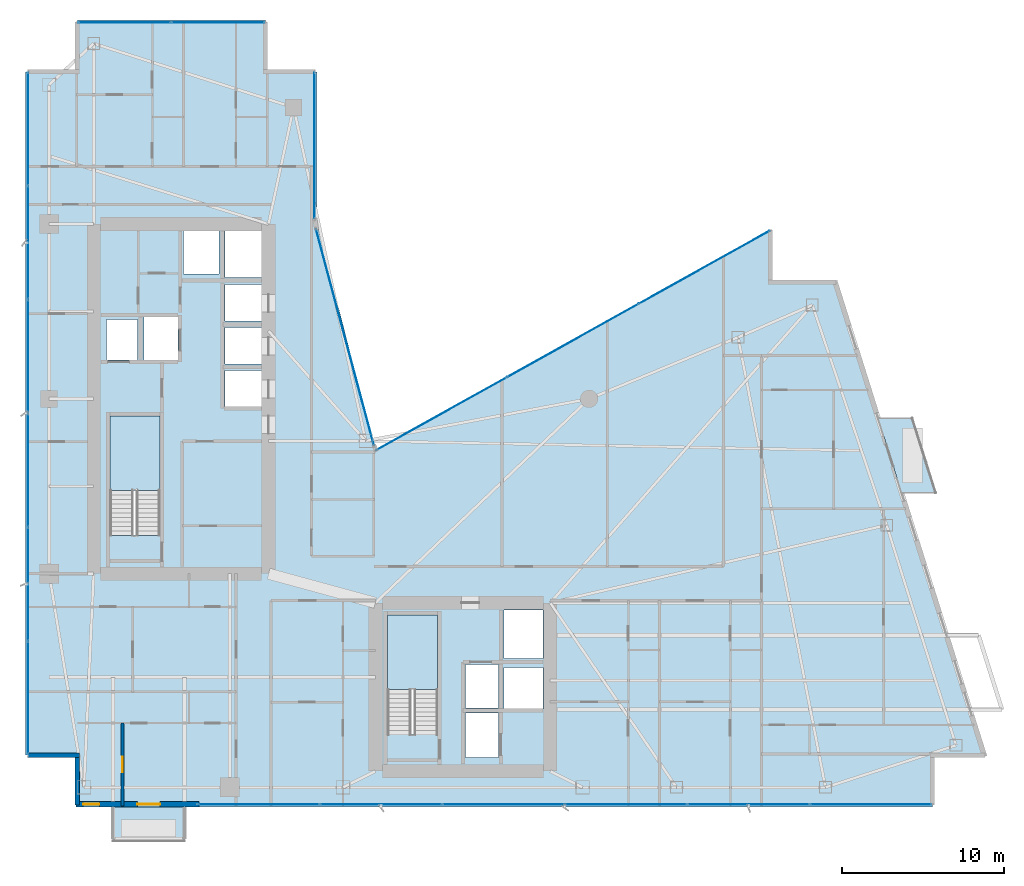
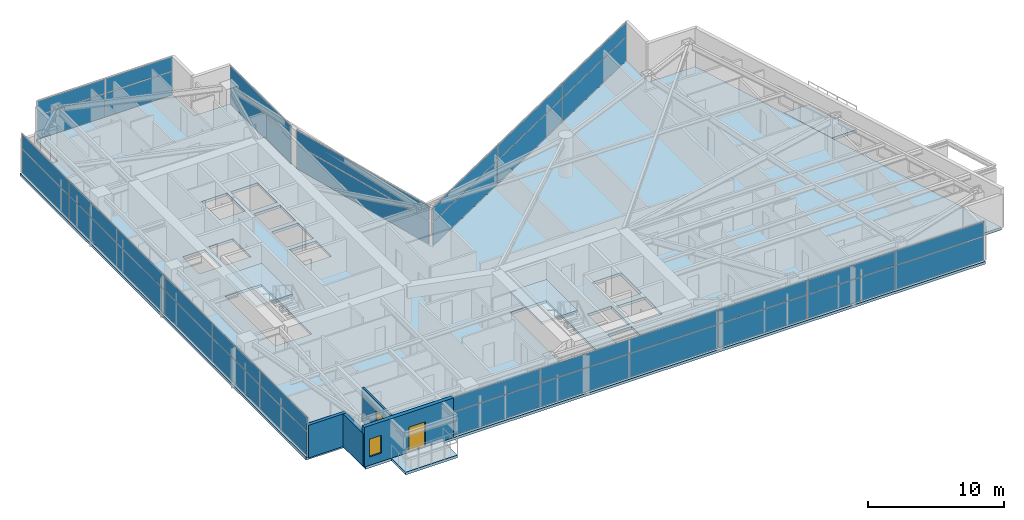
# One storey, part 21 of 29: 38 plates, 5 slabs, 4 walls, 2 doors, 1 window, 3 openings, 8 elements without a shape of their own.
"""IFC4 building model written with IfcOpenShell, lengths in metres."""

from ifc_helpers import new_model, si_unit, direction, frame, frame_2d, origin, origin_2d, place, context, subcontext, project, spatial, polyline, rectangle, outline, extrude, material, layer, layer_set, type_object, element, fill, aggregate, save


model = new_model("IFC4")

# Units and contexts
model_context = context("Model", 3, precision=1e-05, world=origin(), true_north=direction((0.0, 1.0)))
body_context = subcontext(model_context, "Body", "Model", "MODEL_VIEW")
ifc_project = project(units=[si_unit("LENGTHUNIT", "METRE"), si_unit("AREAUNIT", "SQUARE_METRE"), si_unit("VOLUMEUNIT", "CUBIC_METRE"), si_unit("PLANEANGLEUNIT", "RADIAN"), si_unit("MASSUNIT", "GRAM", prefix="KILO")], contexts=[model_context])

# Site, building, storey
site_placement = place(None, origin())
site = spatial("IfcSite", under=ifc_project, at=site_placement, CompositionType="ELEMENT")
building_placement = place(site_placement, origin())
building = spatial("IfcBuilding", under=site, at=building_placement, Name="Calvorn Quay Hotel", CompositionType="ELEMENT")
storey_placement = place(building_placement, frame((0.0, 0.0, 163.699951171875)))
storey = spatial("IfcBuildingStorey", under=building, at=storey_placement, Name="L40", CompositionType="ELEMENT", Elevation=163.699951171875)

# Curtain wall, plates
ifc_material_1 = material(Name="Pale Anodised Aluminium and Low-E Glass", Category="aluminium")
ifc_layer_1 = layer(ifc_material_1, 0.219970703125)
ifc_layer_set_1 = layer_set([ifc_layer_1], Name="CW-SYS-Z2")
curtain_wall_type = type_object("IfcCurtainWallType", Name="CW-SYS-Z2", PredefinedType="NOTDEFINED", material=ifc_layer_set_1)
curtain_wall_1_placement = place(storey_placement, origin())
curtain_wall_1 = element("IfcCurtainWall", 1, at=curtain_wall_1_placement, inside=storey, type_object=curtain_wall_type, Name="Tower West Curtain Wall (L40)", PredefinedType="NOTDEFINED")
ifc_material_2 = material(Name="Low-E Laminated Double Glazing", Category="glass")
ifc_layer_2 = layer(ifc_material_2, 0.028076171875)
ifc_layer_set_2 = layer_set([ifc_layer_2], Name="CW-SYS-Z2-PAN")
plate_type = type_object("IfcPlateType", Name="CW-SYS-Z2-PAN", PredefinedType="CURTAIN_PANEL", material=ifc_layer_set_2)
plate_1_placement = place(storey_placement, frame((0.14990234375, 9.131591796875, 0.06005859375), z_axis=(0.0, 0.0, 1.0), x_axis=(0.0, 1.0, 0.0)))
plate_1 = element("IfcPlate", 2, at=plate_1_placement, type_object=plate_type, Name="CW-L40-W panel 1.1", PredefinedType="CURTAIN_PANEL", context=body_context, shape_type="SweptSolid", body=[
    extrude(rectangle(XDim=6.943359375, YDim=0.028076171875, at=origin_2d()), origin(), (0.0, 0.0, 1.0), 2.110107421875),
])
plate_2_placement = place(storey_placement, frame((0.14990234375, 9.131591796875, 2.22998046875), z_axis=(0.0, 0.0, 1.0), x_axis=(0.0, 1.0, 0.0)))
plate_2 = element("IfcPlate", 3, at=plate_2_placement, type_object=plate_type, Name="CW-L40-W panel 1.2", PredefinedType="CURTAIN_PANEL", context=body_context, shape_type="SweptSolid", body=[
    extrude(rectangle(XDim=6.943359375, YDim=0.028076171875, at=origin_2d()), origin(), (0.0, 0.0, 1.0), 1.27001953125),
])
plate_3_placement = place(storey_placement, frame((0.14990234375, 16.14990234375, 0.06005859375), z_axis=(0.0, 0.0, 1.0), x_axis=(0.0, 1.0, 0.0)))
plate_3 = element("IfcPlate", 4, at=plate_3_placement, type_object=plate_type, Name="CW-L40-W panel 2.1", PredefinedType="CURTAIN_PANEL", context=body_context, shape_type="SweptSolid", body=[
    extrude(rectangle(XDim=6.973388671875, YDim=0.028076171875, at=origin_2d()), origin(), (0.0, 0.0, 1.0), 2.110107421875),
])
plate_4_placement = place(storey_placement, frame((0.14990234375, 16.14990234375, 2.22998046875), z_axis=(0.0, 0.0, 1.0), x_axis=(0.0, 1.0, 0.0)))
plate_4 = element("IfcPlate", 5, at=plate_4_placement, type_object=plate_type, Name="CW-L40-W panel 2.2", PredefinedType="CURTAIN_PANEL", context=body_context, shape_type="SweptSolid", body=[
    extrude(rectangle(XDim=6.973388671875, YDim=0.028076171875, at=origin_2d()), origin(), (0.0, 0.0, 1.0), 1.27001953125),
])
plate_5_placement = place(storey_placement, frame((0.14990234375, 23.183349609375, 0.06005859375), z_axis=(0.0, 0.0, 1.0), x_axis=(0.0, 1.0, 0.0)))
plate_5 = element("IfcPlate", 6, at=plate_5_placement, type_object=plate_type, Name="CW-L40-W panel 3.1", PredefinedType="CURTAIN_PANEL", context=body_context, shape_type="SweptSolid", body=[
    extrude(rectangle(XDim=6.973388671875, YDim=0.028076171875, at=origin_2d()), origin(), (0.0, 0.0, 1.0), 2.110107421875),
])
plate_6_placement = place(storey_placement, frame((0.14990234375, 23.183349609375, 2.22998046875), z_axis=(0.0, 0.0, 1.0), x_axis=(0.0, 1.0, 0.0)))
plate_6 = element("IfcPlate", 7, at=plate_6_placement, type_object=plate_type, Name="CW-L40-W panel 3.2", PredefinedType="CURTAIN_PANEL", context=body_context, shape_type="SweptSolid", body=[
    extrude(rectangle(XDim=6.973388671875, YDim=0.028076171875, at=origin_2d()), origin(), (0.0, 0.0, 1.0), 1.27001953125),
])
plate_7_placement = place(storey_placement, frame((0.14990234375, 30.216552734375, 0.06005859375), z_axis=(0.0, 0.0, 1.0), x_axis=(0.0, 1.0, 0.0)))
plate_7 = element("IfcPlate", 8, at=plate_7_placement, type_object=plate_type, Name="CW-L40-W panel 4.1", PredefinedType="CURTAIN_PANEL", context=body_context, shape_type="SweptSolid", body=[
    extrude(rectangle(XDim=6.973388671875, YDim=0.028076171875, at=origin_2d()), origin(), (0.0, 0.0, 1.0), 2.110107421875),
])
plate_8_placement = place(storey_placement, frame((0.14990234375, 30.216552734375, 2.22998046875), z_axis=(0.0, 0.0, 1.0), x_axis=(0.0, 1.0, 0.0)))
plate_8 = element("IfcPlate", 9, at=plate_8_placement, type_object=plate_type, Name="CW-L40-W panel 4.2", PredefinedType="CURTAIN_PANEL", context=body_context, shape_type="SweptSolid", body=[
    extrude(rectangle(XDim=6.973388671875, YDim=0.028076171875, at=origin_2d()), origin(), (0.0, 0.0, 1.0), 1.27001953125),
])
plate_9_placement = place(storey_placement, frame((0.14990234375, 37.25, 0.06005859375), z_axis=(0.0, 0.0, 1.0), x_axis=(0.0, 1.0, 0.0)))
plate_9 = element("IfcPlate", 10, at=plate_9_placement, type_object=plate_type, Name="CW-L40-W panel 5.1", PredefinedType="CURTAIN_PANEL", context=body_context, shape_type="SweptSolid", body=[
    extrude(rectangle(XDim=6.973388671875, YDim=0.028076171875, at=origin_2d()), origin(), (0.0, 0.0, 1.0), 2.110107421875),
])
plate_10_placement = place(storey_placement, frame((0.14990234375, 37.25, 2.22998046875), z_axis=(0.0, 0.0, 1.0), x_axis=(0.0, 1.0, 0.0)))
plate_10 = element("IfcPlate", 11, at=plate_10_placement, type_object=plate_type, Name="CW-L40-W panel 5.2", PredefinedType="CURTAIN_PANEL", context=body_context, shape_type="SweptSolid", body=[
    extrude(rectangle(XDim=6.973388671875, YDim=0.028076171875, at=origin_2d()), origin(), (0.0, 0.0, 1.0), 1.27001953125),
])
plate_11_placement = place(storey_placement, frame((0.14990234375, 44.268310546875, 0.06005859375), z_axis=(0.0, 0.0, 1.0), x_axis=(0.0, 1.0, 0.0)))
plate_11 = element("IfcPlate", 12, at=plate_11_placement, type_object=plate_type, Name="CW-L40-W panel 6.1", PredefinedType="CURTAIN_PANEL", context=body_context, shape_type="SweptSolid", body=[
    extrude(rectangle(XDim=6.943359375, YDim=0.028076171875, at=origin_2d()), origin(), (0.0, 0.0, 1.0), 2.110107421875),
])
plate_12_placement = place(storey_placement, frame((0.14990234375, 44.268310546875, 2.22998046875), z_axis=(0.0, 0.0, 1.0), x_axis=(0.0, 1.0, 0.0)))
plate_12 = element("IfcPlate", 13, at=plate_12_placement, type_object=plate_type, Name="CW-L40-W panel 6.2", PredefinedType="CURTAIN_PANEL", context=body_context, shape_type="SweptSolid", body=[
    extrude(rectangle(XDim=6.943359375, YDim=0.028076171875, at=origin_2d()), origin(), (0.0, 0.0, 1.0), 1.27001953125),
])
aggregate(curtain_wall_1, [plate_1, plate_2, plate_3, plate_4, plate_5, plate_6, plate_7, plate_8, plate_9, plate_10, plate_11, plate_12])

curtain_wall_2_placement = place(storey_placement, origin())
curtain_wall_2 = element("IfcCurtainWall", 14, at=curtain_wall_2_placement, inside=storey, type_object=curtain_wall_type, Name="Tower South Waterfront Curtain Wall (L40)", PredefinedType="NOTDEFINED")
plate_13_placement = place(storey_placement, frame((14.3984375, 2.550048828125, 0.06005859375), z_axis=(0.0, 0.0, 1.0), x_axis=(1.0, 0.0, 0.0)))
plate_13 = element("IfcPlate", 15, at=plate_13_placement, type_object=plate_type, Name="CW-L40-S panel 1.1", PredefinedType="CURTAIN_PANEL", context=body_context, shape_type="SweptSolid", body=[
    extrude(rectangle(XDim=7.4765625, YDim=0.028076171875, at=origin_2d()), origin(), (0.0, 0.0, 1.0), 2.110107421875),
])
plate_14_placement = place(storey_placement, frame((14.3984375, 2.550048828125, 2.22998046875), z_axis=(0.0, 0.0, 1.0), x_axis=(1.0, 0.0, 0.0)))
plate_14 = element("IfcPlate", 16, at=plate_14_placement, type_object=plate_type, Name="CW-L40-S panel 1.2", PredefinedType="CURTAIN_PANEL", context=body_context, shape_type="SweptSolid", body=[
    extrude(rectangle(XDim=7.4765625, YDim=0.028076171875, at=origin_2d()), origin(), (0.0, 0.0, 1.0), 1.27001953125),
])
plate_15_placement = place(storey_placement, frame((21.949951171875, 2.550048828125, 0.06005859375), z_axis=(0.0, 0.0, 1.0), x_axis=(1.0, 0.0, 0.0)))
plate_15 = element("IfcPlate", 17, at=plate_15_placement, type_object=plate_type, Name="CW-L40-S panel 2.1", PredefinedType="CURTAIN_PANEL", context=body_context, shape_type="SweptSolid", body=[
    extrude(rectangle(XDim=7.506591796875, YDim=0.028076171875, at=origin_2d()), origin(), (0.0, 0.0, 1.0), 2.110107421875),
])
plate_16_placement = place(storey_placement, frame((21.949951171875, 2.550048828125, 2.22998046875), z_axis=(0.0, 0.0, 1.0), x_axis=(1.0, 0.0, 0.0)))
plate_16 = element("IfcPlate", 18, at=plate_16_placement, type_object=plate_type, Name="CW-L40-S panel 2.2", PredefinedType="CURTAIN_PANEL", context=body_context, shape_type="SweptSolid", body=[
    extrude(rectangle(XDim=7.506591796875, YDim=0.028076171875, at=origin_2d()), origin(), (0.0, 0.0, 1.0), 1.27001953125),
])
plate_17_placement = place(storey_placement, frame((29.5166015625, 2.550048828125, 0.06005859375), z_axis=(0.0, 0.0, 1.0), x_axis=(1.0, 0.0, 0.0)))
plate_17 = element("IfcPlate", 19, at=plate_17_placement, type_object=plate_type, Name="CW-L40-S panel 3.1", PredefinedType="CURTAIN_PANEL", context=body_context, shape_type="SweptSolid", body=[
    extrude(rectangle(XDim=7.506591796875, YDim=0.028076171875, at=origin_2d()), origin(), (0.0, 0.0, 1.0), 2.110107421875),
])
plate_18_placement = place(storey_placement, frame((29.5166015625, 2.550048828125, 2.22998046875), z_axis=(0.0, 0.0, 1.0), x_axis=(1.0, 0.0, 0.0)))
plate_18 = element("IfcPlate", 20, at=plate_18_placement, type_object=plate_type, Name="CW-L40-S panel 3.2", PredefinedType="CURTAIN_PANEL", context=body_context, shape_type="SweptSolid", body=[
    extrude(rectangle(XDim=7.506591796875, YDim=0.028076171875, at=origin_2d()), origin(), (0.0, 0.0, 1.0), 1.27001953125),
])
plate_19_placement = place(storey_placement, frame((37.083251953125, 2.550048828125, 0.06005859375), z_axis=(0.0, 0.0, 1.0), x_axis=(1.0, 0.0, 0.0)))
plate_19 = element("IfcPlate", 21, at=plate_19_placement, type_object=plate_type, Name="CW-L40-S panel 4.1", PredefinedType="CURTAIN_PANEL", context=body_context, shape_type="SweptSolid", body=[
    extrude(rectangle(XDim=7.506591796875, YDim=0.028076171875, at=origin_2d()), origin(), (0.0, 0.0, 1.0), 2.110107421875),
])
plate_20_placement = place(storey_placement, frame((37.083251953125, 2.550048828125, 2.22998046875), z_axis=(0.0, 0.0, 1.0), x_axis=(1.0, 0.0, 0.0)))
plate_20 = element("IfcPlate", 22, at=plate_20_placement, type_object=plate_type, Name="CW-L40-S panel 4.2", PredefinedType="CURTAIN_PANEL", context=body_context, shape_type="SweptSolid", body=[
    extrude(rectangle(XDim=7.506591796875, YDim=0.028076171875, at=origin_2d()), origin(), (0.0, 0.0, 1.0), 1.27001953125),
])
plate_21_placement = place(storey_placement, frame((44.64990234375, 2.550048828125, 0.06005859375), z_axis=(0.0, 0.0, 1.0), x_axis=(1.0, 0.0, 0.0)))
plate_21 = element("IfcPlate", 23, at=plate_21_placement, type_object=plate_type, Name="CW-L40-S panel 5.1", PredefinedType="CURTAIN_PANEL", context=body_context, shape_type="SweptSolid", body=[
    extrude(rectangle(XDim=7.506591796875, YDim=0.028076171875, at=origin_2d()), origin(), (0.0, 0.0, 1.0), 2.110107421875),
])
plate_22_placement = place(storey_placement, frame((44.64990234375, 2.550048828125, 2.22998046875), z_axis=(0.0, 0.0, 1.0), x_axis=(1.0, 0.0, 0.0)))
plate_22 = element("IfcPlate", 24, at=plate_22_placement, type_object=plate_type, Name="CW-L40-S panel 5.2", PredefinedType="CURTAIN_PANEL", context=body_context, shape_type="SweptSolid", body=[
    extrude(rectangle(XDim=7.506591796875, YDim=0.028076171875, at=origin_2d()), origin(), (0.0, 0.0, 1.0), 1.27001953125),
])
plate_23_placement = place(storey_placement, frame((52.20166015625, 2.550048828125, 0.06005859375), z_axis=(0.0, 0.0, 1.0), x_axis=(1.0, 0.0, 0.0)))
plate_23 = element("IfcPlate", 25, at=plate_23_placement, type_object=plate_type, Name="CW-L40-S panel 6.1", PredefinedType="CURTAIN_PANEL", context=body_context, shape_type="SweptSolid", body=[
    extrude(rectangle(XDim=7.4765625, YDim=0.028076171875, at=origin_2d()), origin(), (0.0, 0.0, 1.0), 2.110107421875),
])
plate_24_placement = place(storey_placement, frame((52.20166015625, 2.550048828125, 2.22998046875), z_axis=(0.0, 0.0, 1.0), x_axis=(1.0, 0.0, 0.0)))
plate_24 = element("IfcPlate", 26, at=plate_24_placement, type_object=plate_type, Name="CW-L40-S panel 6.2", PredefinedType="CURTAIN_PANEL", context=body_context, shape_type="SweptSolid", body=[
    extrude(rectangle(XDim=7.4765625, YDim=0.028076171875, at=origin_2d()), origin(), (0.0, 0.0, 1.0), 1.27001953125),
])
aggregate(curtain_wall_2, [plate_13, plate_14, plate_15, plate_16, plate_17, plate_18, plate_19, plate_20, plate_21, plate_22, plate_23, plate_24])

curtain_wall_3_placement = place(storey_placement, origin())
curtain_wall_3 = element("IfcCurtainWall", 27, at=curtain_wall_3_placement, inside=storey, type_object=curtain_wall_type, Name="Inner Court Curtain Wall L40-NE1", PredefinedType="NOTDEFINED")
plate_25_placement = place(storey_placement, frame((41.920166015625, 35.72607421875, 0.06005859375), z_axis=(0.0, 0.0, 1.0), x_axis=(-0.873480989116, -0.486858256224, 0.0)))
plate_25 = element("IfcPlate", 28, at=plate_25_placement, type_object=plate_type, Name="CW-L40-NE1 panel 1.1", PredefinedType="CURTAIN_PANEL", context=body_context, shape_type="SweptSolid", body=[
    extrude(rectangle(XDim=9.221435546875, YDim=0.028076171875, at=origin_2d()), origin(), (0.0, 0.0, 1.0), 2.110107421875),
])
plate_26_placement = place(storey_placement, frame((41.920166015625, 35.72607421875, 2.22998046875), z_axis=(0.0, 0.0, 1.0), x_axis=(-0.873480989116, -0.486858256224, 0.0)))
plate_26 = element("IfcPlate", 29, at=plate_26_placement, type_object=plate_type, Name="CW-L40-NE1 panel 1.2", PredefinedType="CURTAIN_PANEL", context=body_context, shape_type="SweptSolid", body=[
    extrude(rectangle(XDim=9.221435546875, YDim=0.028076171875, at=origin_2d()), origin(), (0.0, 0.0, 1.0), 1.27001953125),
])
plate_27_placement = place(storey_placement, frame((33.800048828125, 31.199951171875, 0.06005859375), z_axis=(0.0, 0.0, 1.0), x_axis=(-0.873480989116, -0.486858256224, 0.0)))
plate_27 = element("IfcPlate", 30, at=plate_27_placement, type_object=plate_type, Name="CW-L40-NE1 panel 2.1", PredefinedType="CURTAIN_PANEL", context=body_context, shape_type="SweptSolid", body=[
    extrude(rectangle(XDim=9.25146484375, YDim=0.028076171875, at=origin_2d()), origin(), (0.0, 0.0, 1.0), 2.110107421875),
])
plate_28_placement = place(storey_placement, frame((33.800048828125, 31.199951171875, 2.22998046875), z_axis=(0.0, 0.0, 1.0), x_axis=(-0.873480989116, -0.486858256224, 0.0)))
plate_28 = element("IfcPlate", 31, at=plate_28_placement, type_object=plate_type, Name="CW-L40-NE1 panel 2.2", PredefinedType="CURTAIN_PANEL", context=body_context, shape_type="SweptSolid", body=[
    extrude(rectangle(XDim=9.25146484375, YDim=0.028076171875, at=origin_2d()), origin(), (0.0, 0.0, 1.0), 1.27001953125),
])
plate_29_placement = place(storey_placement, frame((25.6796875, 26.674072265625, 0.06005859375), z_axis=(0.0, 0.0, 1.0), x_axis=(-0.873480989116, -0.486858256224, 0.0)))
plate_29 = element("IfcPlate", 32, at=plate_29_placement, type_object=plate_type, Name="CW-L40-NE1 panel 3.1", PredefinedType="CURTAIN_PANEL", context=body_context, shape_type="SweptSolid", body=[
    extrude(rectangle(XDim=9.221435546875, YDim=0.028076171875, at=origin_2d()), origin(), (0.0, 0.0, 1.0), 2.110107421875),
])
plate_30_placement = place(storey_placement, frame((25.6796875, 26.674072265625, 2.22998046875), z_axis=(0.0, 0.0, 1.0), x_axis=(-0.873480989116, -0.486858256224, 0.0)))
plate_30 = element("IfcPlate", 33, at=plate_30_placement, type_object=plate_type, Name="CW-L40-NE1 panel 3.2", PredefinedType="CURTAIN_PANEL", context=body_context, shape_type="SweptSolid", body=[
    extrude(rectangle(XDim=9.221435546875, YDim=0.028076171875, at=origin_2d()), origin(), (0.0, 0.0, 1.0), 1.27001953125),
])
aggregate(curtain_wall_3, [plate_25, plate_26, plate_27, plate_28, plate_29, plate_30])

curtain_wall_4_placement = place(storey_placement, origin())
curtain_wall_4 = element("IfcCurtainWall", 34, at=curtain_wall_4_placement, inside=storey, type_object=curtain_wall_type, Name="Inner Court Curtain Wall L40-IC1", PredefinedType="NOTDEFINED")
plate_31_placement = place(storey_placement, frame((19.72509765625, 31.39990234375, 0.06005859375), z_axis=(0.0, 0.0, 1.0), x_axis=(-0.25877913024, 0.96593652056, 0.0)))
plate_31 = element("IfcPlate", 35, at=plate_31_placement, type_object=plate_type, Name="CW-L40-IC1 panel 1.1", PredefinedType="CURTAIN_PANEL", context=body_context, shape_type="SweptSolid", body=[
    extrude(rectangle(XDim=13.814697265625, YDim=0.028076171875, at=origin_2d()), origin(), (0.0, 0.0, 1.0), 2.110107421875),
])
plate_32_placement = place(storey_placement, frame((19.72509765625, 31.39990234375, 2.22998046875), z_axis=(0.0, 0.0, 1.0), x_axis=(-0.25877913024, 0.96593652056, 0.0)))
plate_32 = element("IfcPlate", 36, at=plate_32_placement, type_object=plate_type, Name="CW-L40-IC1 panel 1.2", PredefinedType="CURTAIN_PANEL", context=body_context, shape_type="SweptSolid", body=[
    extrude(rectangle(XDim=13.814697265625, YDim=0.028076171875, at=origin_2d()), origin(), (0.0, 0.0, 1.0), 1.27001953125),
])
aggregate(curtain_wall_4, [plate_31, plate_32])

curtain_wall_5_placement = place(storey_placement, origin())
curtain_wall_5 = element("IfcCurtainWall", 37, at=curtain_wall_5_placement, inside=storey, type_object=curtain_wall_type, Name="Inner Court Curtain Wall L40-IC2", PredefinedType="NOTDEFINED")
plate_33_placement = place(storey_placement, frame((17.85009765625, 43.239990234375, 0.06005859375), z_axis=(0.0, 0.0, 1.0), x_axis=(0.0, 1.0, 0.0)))
plate_33 = element("IfcPlate", 38, at=plate_33_placement, type_object=plate_type, Name="CW-L40-IC2 panel 1.1", PredefinedType="CURTAIN_PANEL", context=body_context, shape_type="SweptSolid", body=[
    extrude(rectangle(XDim=9.0, YDim=0.028076171875, at=origin_2d()), origin(), (0.0, 0.0, 1.0), 2.110107421875),
])
plate_34_placement = place(storey_placement, frame((17.85009765625, 43.239990234375, 2.22998046875), z_axis=(0.0, 0.0, 1.0), x_axis=(0.0, 1.0, 0.0)))
plate_34 = element("IfcPlate", 39, at=plate_34_placement, type_object=plate_type, Name="CW-L40-IC2 panel 1.2", PredefinedType="CURTAIN_PANEL", context=body_context, shape_type="SweptSolid", body=[
    extrude(rectangle(XDim=9.0, YDim=0.028076171875, at=origin_2d()), origin(), (0.0, 0.0, 1.0), 1.27001953125),
])
aggregate(curtain_wall_5, [plate_33, plate_34])

curtain_wall_6_placement = place(storey_placement, origin())
curtain_wall_6 = element("IfcCurtainWall", 40, at=curtain_wall_6_placement, inside=storey, type_object=curtain_wall_type, Name="Inner Court Curtain Wall L40-N1", PredefinedType="NOTDEFINED")
plate_35_placement = place(storey_placement, frame((11.885009765625, 50.85009765625, 0.06005859375), z_axis=(0.0, 0.0, 1.0), x_axis=(-1.0, 0.0, 0.0)))
plate_35 = element("IfcPlate", 41, at=plate_35_placement, type_object=plate_type, Name="CW-L40-N1 panel 1.1", PredefinedType="CURTAIN_PANEL", context=body_context, shape_type="SweptSolid", body=[
    extrude(rectangle(XDim=5.7099609375, YDim=0.028076171875, at=origin_2d()), origin(), (0.0, 0.0, 1.0), 2.110107421875),
])
plate_36_placement = place(storey_placement, frame((11.885009765625, 50.85009765625, 2.22998046875), z_axis=(0.0, 0.0, 1.0), x_axis=(-1.0, 0.0, 0.0)))
plate_36 = element("IfcPlate", 42, at=plate_36_placement, type_object=plate_type, Name="CW-L40-N1 panel 1.2", PredefinedType="CURTAIN_PANEL", context=body_context, shape_type="SweptSolid", body=[
    extrude(rectangle(XDim=5.7099609375, YDim=0.028076171875, at=origin_2d()), origin(), (0.0, 0.0, 1.0), 1.27001953125),
])
plate_37_placement = place(storey_placement, frame((6.114990234375, 50.85009765625, 0.06005859375), z_axis=(0.0, 0.0, 1.0), x_axis=(-1.0, 0.0, 0.0)))
plate_37 = element("IfcPlate", 43, at=plate_37_placement, type_object=plate_type, Name="CW-L40-N1 panel 2.1", PredefinedType="CURTAIN_PANEL", context=body_context, shape_type="SweptSolid", body=[
    extrude(rectangle(XDim=5.7099609375, YDim=0.028076171875, at=origin_2d()), origin(), (0.0, 0.0, 1.0), 2.110107421875),
])
plate_38_placement = place(storey_placement, frame((6.114990234375, 50.85009765625, 2.22998046875), z_axis=(0.0, 0.0, 1.0), x_axis=(-1.0, 0.0, 0.0)))
plate_38 = element("IfcPlate", 44, at=plate_38_placement, type_object=plate_type, Name="CW-L40-N1 panel 2.2", PredefinedType="CURTAIN_PANEL", context=body_context, shape_type="SweptSolid", body=[
    extrude(rectangle(XDim=5.7099609375, YDim=0.028076171875, at=origin_2d()), origin(), (0.0, 0.0, 1.0), 1.27001953125),
])
aggregate(curtain_wall_6, [plate_35, plate_36, plate_37, plate_38])

# Slabs
ifc_material_3 = material(Name="Concrete C40", Category="concrete")
ifc_layer_3 = layer(ifc_material_3, 0.239990234375)
ifc_layer_set_3 = layer_set([ifc_layer_3], Name="SLB-BALCONY-220")
slab_type_1 = type_object("IfcSlabType", Name="SLB-BALCONY-220", PredefinedType="FLOOR", material=ifc_layer_set_3)
slab_1_placement = place(storey_placement, frame((0.0, 0.0, -0.239990234375)))
element("IfcSlab", 45, at=slab_1_placement, inside=storey, type_object=slab_type_1, Name="Tree Balcony Slab L40-BALC-E", PredefinedType="FLOOR", context=body_context, shape_type="SweptSolid", body=[
    extrude(outline(polyline([(54.10595703125, 21.800048828125), (56.2060546875, 21.800048828125), (54.757080078125, 26.39990234375), (52.656982421875, 26.39990234375), (54.10595703125, 21.800048828125)])), origin(), (0.0, 0.0, 1.0), 0.239990234375),
])
slab_2_placement = place(storey_placement, frame((0.0, 0.0, -0.239990234375)))
element("IfcSlab", 46, at=slab_2_placement, inside=storey, type_object=slab_type_1, Name="Tree Balcony Slab L40-BALC-S", PredefinedType="FLOOR", context=body_context, shape_type="SweptSolid", body=[
    extrude(outline(polyline([(5.39990234375, 0.2900390625), (9.800048828125, 0.2900390625), (9.800048828125, 2.389892578125), (5.39990234375, 2.389892578125), (5.39990234375, 0.2900390625)])), origin(), (0.0, 0.0, 1.0), 0.239990234375),
])

# Stair, slab
ifc_material_4 = material(Name="Concrete C40", Category="concrete")
stair_type = type_object("IfcStairType", Name="STR-CORE-DOGLEG", PredefinedType="HALF_TURN_STAIR", material=ifc_material_4)
stair_1_placement = place(storey_placement, origin())
stair_1 = element("IfcStair", 47, at=stair_1_placement, inside=storey, type_object=stair_type, Name="L40 ST-W", PredefinedType="HALF_TURN_STAIR")
ifc_material_5 = material(Name="Concrete C40", Category="concrete")
ifc_layer_4 = layer(ifc_material_5, 0.199951171875)
ifc_layer_set_4 = layer_set([ifc_layer_4], Name="SLB-STAIR-LANDING-200")
slab_type_2 = type_object("IfcSlabType", Name="SLB-STAIR-LANDING-200", PredefinedType="LANDING", material=ifc_layer_set_4)
slab_3_placement = place(storey_placement, frame((0.0, 0.0, 1.699951171875)))
slab_3 = element("IfcSlab", 48, at=slab_3_placement, type_object=slab_type_2, Name="ST-W landing 1", PredefinedType="LANDING", context=body_context, shape_type="SweptSolid", body=[
    extrude(outline(polyline([(8.300048828125, 21.949951171875), (8.300048828125, 26.550048828125), (5.199951171875, 26.550048828125), (5.199951171875, 21.949951171875), (8.300048828125, 21.949951171875)])), origin(), (0.0, 0.0, 1.0), 0.2001953125),
])
aggregate(stair_1, [slab_3])

stair_2_placement = place(storey_placement, origin())
stair_2 = element("IfcStair", 49, at=stair_2_placement, inside=storey, type_object=stair_type, Name="L40 ST-E", PredefinedType="HALF_TURN_STAIR")
slab_4_placement = place(storey_placement, frame((0.0, 0.0, 1.699951171875)))
slab_4 = element("IfcSlab", 50, at=slab_4_placement, type_object=slab_type_2, Name="ST-E landing 1", PredefinedType="LANDING", context=body_context, shape_type="SweptSolid", body=[
    extrude(outline(polyline([(25.449951171875, 9.64990234375), (25.449951171875, 14.25), (22.35009765625, 14.25), (22.35009765625, 9.64990234375), (25.449951171875, 9.64990234375)])), origin(), (0.0, 0.0, 1.0), 0.2001953125),
])
aggregate(stair_2, [slab_4])

# Slab
ifc_material_6 = material(Name="Concrete C40", Category="concrete")
ifc_layer_5 = layer(ifc_material_6, 0.239990234375)
ifc_layer_set_5 = layer_set([ifc_layer_5], Name="SLB-TOWER-240")
slab_type_3 = type_object("IfcSlabType", Name="SLB-TOWER-240", PredefinedType="FLOOR", material=ifc_layer_set_5)
slab_5_placement = place(storey_placement, frame((0.0, 0.0, -0.239990234375)))
element("IfcSlab", 51, at=slab_5_placement, inside=storey, type_object=slab_type_3, Name="L40 Structural Floor Slab", PredefinedType="FLOOR", context=body_context, shape_type="SweptSolid", body=[
    extrude(outline(polyline([(0.0, 5.60009765625), (3.199951171875, 5.60009765625), (3.199951171875, 2.39990234375), (56.0, 2.39990234375), (56.0, 5.60009765625), (59.199951171875, 5.60009765625), (50.0, 34.800048828125), (46.0, 34.800048828125), (46.0, 38.0), (21.60009765625, 24.39990234375), (18.0, 38.39990234375), (18.0, 47.800048828125), (14.800048828125, 47.800048828125), (14.800048828125, 51.0), (3.199951171875, 51.0), (3.199951171875, 47.800048828125), (0.0, 47.800048828125), (0.0, 5.60009765625)]), holes=[polyline([(5.199951171875, 19.156005859375), (8.300048828125, 19.156005859375), (8.300048828125, 26.550048828125), (5.199951171875, 26.550048828125), (5.199951171875, 19.156005859375)]), polyline([(22.35009765625, 6.85595703125), (25.449951171875, 6.85595703125), (25.449951171875, 14.25), (22.35009765625, 14.25), (22.35009765625, 6.85595703125)]), polyline([(5.0, 30.0), (6.89990234375, 30.0), (6.89990234375, 32.5), (5.0, 32.5), (5.0, 30.0)]), polyline([(7.300048828125, 30.0), (9.39990234375, 30.0), (9.39990234375, 32.64990234375), (7.300048828125, 32.64990234375), (7.300048828125, 30.0)]), polyline([(27.159912109375, 8.5), (29.2099609375, 8.5), (29.2099609375, 11.199951171875), (27.159912109375, 11.199951171875), (27.159912109375, 8.5)]), polyline([(27.159912109375, 5.449951171875), (29.2099609375, 5.449951171875), (29.2099609375, 8.199951171875), (27.159912109375, 8.199951171875), (27.159912109375, 5.449951171875)]), polyline([(12.300048828125, 27.10009765625), (14.56494140625, 27.10009765625), (14.56494140625, 29.35009765625), (12.300048828125, 29.35009765625), (12.300048828125, 27.10009765625)]), polyline([(12.300048828125, 29.75), (14.56494140625, 29.75), (14.56494140625, 32.0), (12.300048828125, 32.0), (12.300048828125, 29.75)]), polyline([(12.300048828125, 32.39990234375), (14.56494140625, 32.39990234375), (14.56494140625, 34.64990234375), (12.300048828125, 34.64990234375), (12.300048828125, 32.39990234375)]), polyline([(12.300048828125, 35.10009765625), (14.56494140625, 35.10009765625), (14.56494140625, 37.965087890625), (12.300048828125, 37.965087890625), (12.300048828125, 35.10009765625)]), polyline([(9.75, 35.300048828125), (11.949951171875, 35.300048828125), (11.949951171875, 37.965087890625), (9.75, 37.965087890625), (9.75, 35.300048828125)]), polyline([(29.550048828125, 11.550048828125), (31.965087890625, 11.550048828125), (31.965087890625, 14.56494140625), (29.550048828125, 14.56494140625), (29.550048828125, 11.550048828125)]), polyline([(29.550048828125, 8.449951171875), (31.965087890625, 8.449951171875), (31.965087890625, 11.0), (29.550048828125, 11.0), (29.550048828125, 8.449951171875)])]), origin(), (0.0, 0.0, 1.0), 0.239990234375),
])

# Wall, openings, door, window
ifc_material_7 = material(Name="Concrete C40", Category="concrete")
ifc_layer_6 = layer(ifc_material_7, 0.320068359375)
ifc_layer_set_6 = layer_set([ifc_layer_6], Name="WL-EXT-SPANDREL-320")
wall_type_1 = type_object("IfcWallType", Name="WL-EXT-SPANDREL-320", PredefinedType="SOLIDWALL", material=ifc_layer_set_6)
wall_1_placement = place(storey_placement, frame((3.10009765625, 2.56005859375, 0.0), z_axis=(0.0, 0.0, 1.0), x_axis=(1.0, 0.0, 0.0)))
wall_1 = element("IfcWall", 52, at=wall_1_placement, inside=storey, type_object=wall_type_1, Name="South Balcony Exterior Wall (L40)", PredefinedType="SOLIDWALL", context=body_context, shape_type="SweptSolid", body=[
    extrude(rectangle(XDim=7.599853515625, YDim=0.320068359375, at=frame_2d((3.7998046875, 0.0))), origin(), (0.0, 0.0, 1.0), 3.56005859375),
])
opening_1_placement = place(wall_1_placement, frame((0.449951171875, 0.0, 0.75)))
opening_1 = element("IfcOpeningElement", 53, at=opening_1_placement, cuts=wall_1, Name="Opening WSB-L40-1", PredefinedType="OPENING", context=body_context, shape_type="SweptSolid", body=[
    extrude(rectangle(XDim=1.0, YDim=1.60009765625, at=frame_2d((0.5, 0.800048828125))), frame((0.0, 0.169921875, 0.0), z_axis=(0.0, -1.0, 0.0), x_axis=(1.0, 0.0, 0.0)), (0.0, 0.0, 1.0), 0.340087890625),
])
opening_2_placement = place(wall_1_placement, frame((3.800048828125, 0.0, 0.0)))
opening_2 = element("IfcOpeningElement", 54, at=opening_2_placement, cuts=wall_1, Name="Opening DB-L40-2", PredefinedType="OPENING", context=body_context, shape_type="SweptSolid", body=[
    extrude(rectangle(XDim=1.39990234375, YDim=2.25, at=frame_2d((0.699951171875, 1.125))), frame((0.0, 0.169921875, 0.0), z_axis=(0.0, -1.0, 0.0), x_axis=(1.0, 0.0, 0.0)), (0.0, 0.0, 1.0), 0.340087890625),
])
ifc_material_8 = material(Name="Typhoon-Rated Low-E Aluminium Terrace Door", Category="aluminium")
door_type_1 = type_object("IfcDoorType", Name="DR-BALCONY-GLZ-1400", OperationType="NOTDEFINED", PredefinedType="DOOR", material=ifc_material_8)
door_1_placement = place(opening_2_placement, origin())
door_1 = element("IfcDoor", 55, at=door_1_placement, inside=storey, type_object=door_type_1, Name="Tree Balcony Terrace Door L40-BALC-S", OperationType="SINGLE_SWING_LEFT", OverallHeight=2.25, OverallWidth=1.39990234375, PredefinedType="DOOR", context=body_context, shape_type="SweptSolid", body=[
    extrude(rectangle(XDim=1.39990234375, YDim=2.25, at=frame_2d((0.699951171875, 1.125))), frame((0.0, 0.02490234375, 0.0), z_axis=(0.0, -1.0, 0.0), x_axis=(1.0, 0.0, 0.0)), (0.0, 0.0, 1.0), 0.050048828125),
])
fill(opening_2, door_1)
ifc_material_9 = material(Name="Self-Closing Class B Side Fire Window")
window_type = type_object("IfcWindowType", Name="WIN-REFUGE-NARROW-1000x1600", PartitioningType="SINGLE_PANEL", PredefinedType="WINDOW", material=ifc_material_9)
window_placement = place(opening_1_placement, origin())
window = element("IfcWindow", 56, at=window_placement, inside=storey, type_object=window_type, Name="South Waterfront Side Window (L40)", OverallHeight=1.60009765625, OverallWidth=1.0, PartitioningType="SINGLE_PANEL", PredefinedType="WINDOW", context=body_context, shape_type="SweptSolid", body=[
    extrude(rectangle(XDim=1.0, YDim=1.60009765625, at=frame_2d((0.5, 0.800048828125))), frame((0.0, 0.030029296875, 0.0), z_axis=(0.0, -1.0, 0.0), x_axis=(1.0, 0.0, 0.0)), (0.0, 0.0, 1.0), 0.06005859375),
])
fill(opening_1, window)

# Walls
wall_2_placement = place(storey_placement, frame((0.1201171875, 5.60009765625, 0.0), z_axis=(0.0, 0.0, 1.0), x_axis=(1.0, 0.0, 0.0)))
element("IfcWall", 57, at=wall_2_placement, inside=storey, type_object=wall_type_1, Name="Notched Corner Spandrel L40-SW1", PredefinedType="SOLIDWALL", context=body_context, shape_type="SweptSolid", body=[
    extrude(rectangle(XDim=3.219970703125, YDim=0.280029296875, at=frame_2d((1.60986328125, 0.0))), origin(), (0.0, 0.0, 1.0), 2.93994140625),
])
wall_3_placement = place(storey_placement, frame((3.199951171875, 5.4599609375, 0.0), z_axis=(0.0, 0.0, 1.0), x_axis=(0.0, -1.0, 0.0)))
element("IfcWall", 58, at=wall_3_placement, inside=storey, type_object=wall_type_1, Name="Notched Corner Spandrel L40-SW2", PredefinedType="SOLIDWALL", context=body_context, shape_type="SweptSolid", body=[
    extrude(rectangle(XDim=2.93994140625, YDim=0.280029296875, at=frame_2d((1.469970703125, 0.0))), origin(), (0.0, 0.0, 1.0), 2.93994140625),
])

# Wall, opening, door
ifc_material_10 = material(Name="Double-Stud Acoustic Gypsum Partition")
ifc_layer_7 = layer(ifc_material_10, 0.159912109375)
ifc_layer_set_7 = layer_set([ifc_layer_7], Name="WL-INTERSUITE-160")
wall_type_2 = type_object("IfcWallType", Name="WL-INTERSUITE-160", PredefinedType="PARTITIONING", material=ifc_layer_set_7)
wall_4_placement = place(storey_placement, frame((5.97998046875, 2.43994140625, 0.0), z_axis=(0.0, 0.0, 1.0), x_axis=(0.0, 1.0, 0.0)))
wall_4 = element("IfcWall", 59, at=wall_4_placement, inside=storey, type_object=wall_type_2, Name="Partition Wall L40-WL-U01-MSP", PredefinedType="PARTITIONING", context=body_context, shape_type="SweptSolid", body=[
    extrude(rectangle(XDim=5.130126953125, YDim=0.159912109375, at=frame_2d((2.56494140625, 0.0))), origin(), (0.0, 0.0, 1.0), 3.0400390625),
])
opening_3_placement = place(wall_4_placement, frame((2.090087890625, 0.0, 0.0)))
opening_3 = element("IfcOpeningElement", 60, at=opening_3_placement, cuts=wall_4, Name="Opening D-L40-M01", PredefinedType="OPENING", context=body_context, shape_type="SweptSolid", body=[
    extrude(rectangle(XDim=0.9599609375, YDim=2.199951171875, at=frame_2d((0.47998046875, 1.10009765625))), frame((0.0, 0.08984375, 0.0), z_axis=(0.0, -1.0, 0.0), x_axis=(1.0, 0.0, 0.0)), (0.0, 0.0, 1.0), 0.179931640625),
])
ifc_material_11 = material(Name="Solid Timber Internal Suite Door", Category="wood")
door_type_2 = type_object("IfcDoorType", Name="DR-SUITE-INT-960", OperationType="NOTDEFINED", PredefinedType="DOOR", material=ifc_material_11)
door_2_placement = place(opening_3_placement, origin())
door_2 = element("IfcDoor", 61, at=door_2_placement, inside=storey, type_object=door_type_2, Name="Suite Bedroom Door 01", OperationType="SINGLE_SWING_LEFT", OverallHeight=2.199951171875, OverallWidth=0.9599609375, PredefinedType="DOOR", context=body_context, shape_type="SweptSolid", body=[
    extrude(rectangle(XDim=0.9599609375, YDim=2.199951171875, at=frame_2d((0.47998046875, 1.10009765625))), frame((0.0, 0.02490234375, 0.0), z_axis=(0.0, -1.0, 0.0), x_axis=(1.0, 0.0, 0.0)), (0.0, 0.0, 1.0), 0.050048828125),
])
fill(opening_3, door_2)

save(model, "model.ifc")
